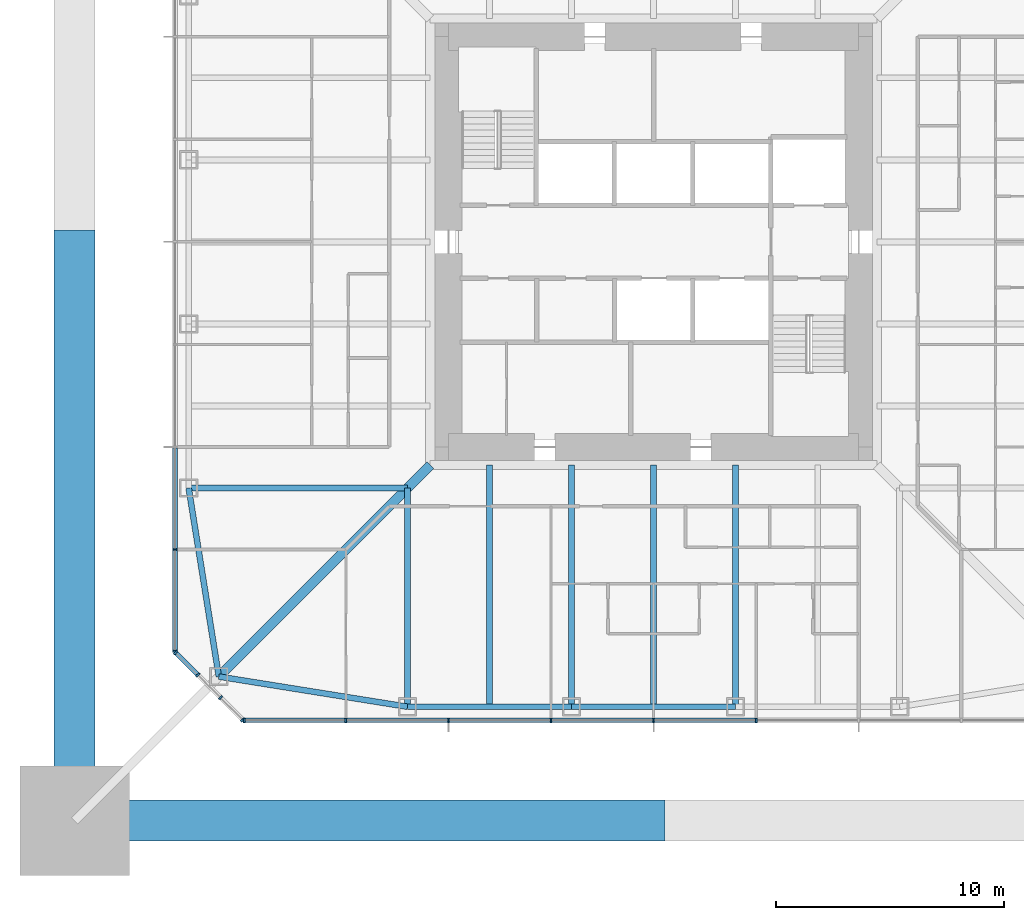
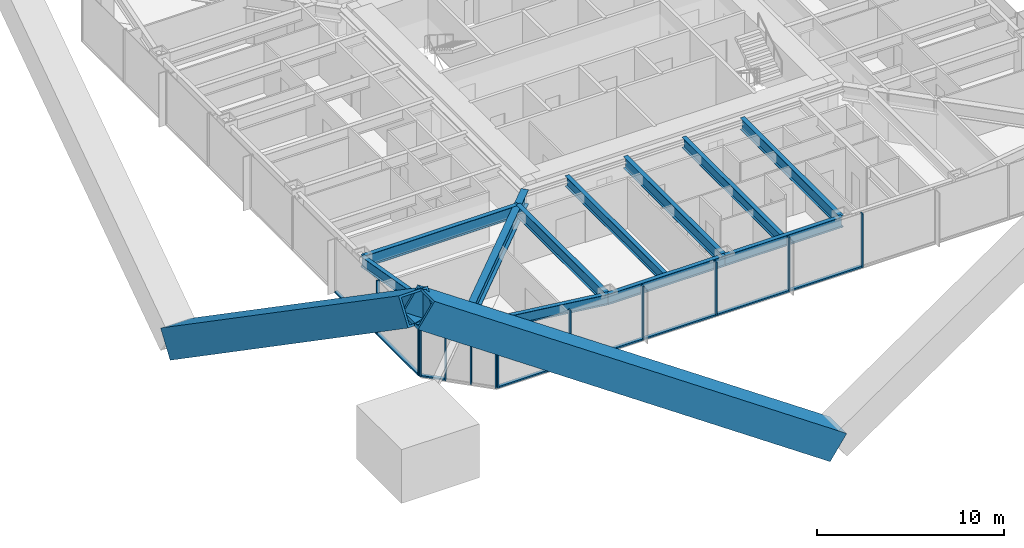
# One storey, part 2 of 17: 22 members, 11 beams, 3 elements without a shape of their own.
"""IFC4 building model written with IfcOpenShell, lengths in metres."""

from ifc_helpers import new_model, si_unit, direction, frame, origin, origin_2d, place, context, subcontext, project, spatial, rectangle, hollow_rectangle, i_section, extrude, material, material_profile, profile_set, type_object, element, aggregate, save


model = new_model("IFC4")

# Units and contexts
model_context = context("Model", 3, precision=1e-05, world=origin(), true_north=direction((0.0, 1.0)))
body_context = subcontext(model_context, "Body", "Model", "MODEL_VIEW")
ifc_project = project(units=[si_unit("LENGTHUNIT", "METRE"), si_unit("AREAUNIT", "SQUARE_METRE"), si_unit("VOLUMEUNIT", "CUBIC_METRE"), si_unit("PLANEANGLEUNIT", "RADIAN"), si_unit("MASSUNIT", "GRAM", prefix="KILO")], contexts=[model_context])

# Site, building, storey
site_placement = place(None, origin())
site = spatial("IfcSite", under=ifc_project, at=site_placement, CompositionType="ELEMENT")
building_placement = place(site_placement, origin())
building = spatial("IfcBuilding", under=site, at=building_placement, Name="Iwan Alto Co-Living Towers", CompositionType="ELEMENT")
storey_placement = place(building_placement, frame((0.0, 0.0, 133.0)))
storey = spatial("IfcBuildingStorey", under=building, at=storey_placement, Name="L36", CompositionType="ELEMENT", Elevation=133.0)

# Curtain wall, members
ifc_material_1 = material(Name="Bronze aluminium unitised frame", Category="aluminium")
curtain_wall_type_1 = type_object("IfcCurtainWallType", Name="CURTAIN WALL CW-A", PredefinedType="NOTDEFINED", material=ifc_material_1)
curtain_wall_1_placement = place(storey_placement, origin())
curtain_wall_1 = element("IfcCurtainWall", 1, at=curtain_wall_1_placement, inside=storey, type_object=curtain_wall_type_1, Name="T1 curtain wall S L36", PredefinedType="NOTDEFINED")
ifc_material_2 = material(Name="Aluminium 6063-T6 bronze anodised", Category="aluminium")
ifc_material_profile_1 = material_profile(ifc_material_2, rectangle(XDim=0.199951171875, YDim=0.080078125, at=origin_2d()), Name="AL 80X200")
ifc_profile_set_1 = profile_set([ifc_material_profile_1], Name="Aluminium 6063-T6 bronze anodised")
member_type_1 = type_object("IfcMemberType", Name="CW-A MULLION 80X200", PredefinedType="MULLION", material=ifc_profile_set_1)
member_1_placement = place(storey_placement, frame((-17.9599609375, -21.0, 0.0), z_axis=(0.0, 0.0, 1.0), x_axis=(0.0, 1.0, 0.0)))
member_1 = element("IfcMember", 2, at=member_1_placement, type_object=member_type_1, Name="CW-A mullion 1", PredefinedType="MULLION", context=body_context, shape_type="SweptSolid", body=[
    extrude(rectangle(XDim=0.199951171875, YDim=0.080078125, at=origin_2d()), origin(), (0.0, 0.0, 1.0), 3.5),
])
member_2_placement = place(storey_placement, frame((-13.5, -21.0, 0.0), z_axis=(0.0, 0.0, 1.0), x_axis=(0.0, 1.0, 0.0)))
member_2 = element("IfcMember", 3, at=member_2_placement, type_object=member_type_1, Name="CW-A mullion 2", PredefinedType="MULLION", context=body_context, shape_type="SweptSolid", body=[
    extrude(rectangle(XDim=0.199951171875, YDim=0.080078125, at=origin_2d()), origin(), (0.0, 0.0, 1.0), 3.5),
])
member_3_placement = place(storey_placement, frame((-9.0, -21.0, 0.0), z_axis=(0.0, 0.0, 1.0), x_axis=(0.0, 1.0, 0.0)))
member_3 = element("IfcMember", 4, at=member_3_placement, type_object=member_type_1, Name="CW-A mullion 3", PredefinedType="MULLION", context=body_context, shape_type="SweptSolid", body=[
    extrude(rectangle(XDim=0.199951171875, YDim=0.080078125, at=origin_2d()), origin(), (0.0, 0.0, 1.0), 3.5),
])
member_4_placement = place(storey_placement, frame((-4.5, -21.0, 0.0), z_axis=(0.0, 0.0, 1.0), x_axis=(0.0, 1.0, 0.0)))
member_4 = element("IfcMember", 5, at=member_4_placement, type_object=member_type_1, Name="CW-A mullion 4", PredefinedType="MULLION", context=body_context, shape_type="SweptSolid", body=[
    extrude(rectangle(XDim=0.199951171875, YDim=0.080078125, at=origin_2d()), origin(), (0.0, 0.0, 1.0), 3.5),
])
member_5_placement = place(storey_placement, frame((0.0, -21.0, 0.0), z_axis=(0.0, 0.0, 1.0), x_axis=(0.0, 1.0, 0.0)))
member_5 = element("IfcMember", 6, at=member_5_placement, type_object=member_type_1, Name="CW-A mullion 5", PredefinedType="MULLION", context=body_context, shape_type="SweptSolid", body=[
    extrude(rectangle(XDim=0.199951171875, YDim=0.080078125, at=origin_2d()), origin(), (0.0, 0.0, 1.0), 3.5),
])
member_6_placement = place(storey_placement, frame((4.5, -21.0, 0.0), z_axis=(0.0, 0.0, 1.0), x_axis=(0.0, 1.0, 0.0)))
member_6 = element("IfcMember", 7, at=member_6_placement, type_object=member_type_1, Name="CW-A mullion 6", PredefinedType="MULLION", context=body_context, shape_type="SweptSolid", body=[
    extrude(rectangle(XDim=0.199951171875, YDim=0.080078125, at=origin_2d()), origin(), (0.0, 0.0, 1.0), 3.5),
])

curtain_wall_2_placement = place(storey_placement, origin())
curtain_wall_2 = element("IfcCurtainWall", 8, at=curtain_wall_2_placement, inside=storey, type_object=curtain_wall_type_1, Name="T1 curtain wall W L36", PredefinedType="NOTDEFINED")
member_7_placement = place(storey_placement, frame((-21.0, -13.5, 0.0), z_axis=(0.0, 0.0, 1.0), x_axis=(1.0, 0.0, 0.0)))
member_7 = element("IfcMember", 9, at=member_7_placement, type_object=member_type_1, Name="CW-A mullion 8", PredefinedType="MULLION", context=body_context, shape_type="SweptSolid", body=[
    extrude(rectangle(XDim=0.199951171875, YDim=0.080078125, at=origin_2d()), origin(), (0.0, 0.0, 1.0), 3.5),
])
member_8_placement = place(storey_placement, frame((-21.0, -17.9599609375, 0.0), z_axis=(0.0, 0.0, 1.0), x_axis=(1.0, 0.0, 0.0)))
member_8 = element("IfcMember", 10, at=member_8_placement, type_object=member_type_1, Name="CW-A mullion 9", PredefinedType="MULLION", context=body_context, shape_type="SweptSolid", body=[
    extrude(rectangle(XDim=0.199951171875, YDim=0.080078125, at=origin_2d()), origin(), (0.0, 0.0, 1.0), 3.5),
])

# Member
ifc_material_3 = material(Name="Aluminium 6063-T6 bronze anodised", Category="aluminium")
ifc_material_profile_2 = material_profile(ifc_material_3, rectangle(XDim=0.199951171875, YDim=0.10009765625, at=origin_2d()), Name="AL 200X100")
ifc_profile_set_2 = profile_set([ifc_material_profile_2], Name="Aluminium 6063-T6 bronze anodised")
member_type_2 = type_object("IfcMemberType", Name="CW-A TRANSOM 200X100", PredefinedType="USERDEFINED", material=ifc_profile_set_2)
member_9_placement = place(storey_placement, frame((-17.919921875, -21.0, 0.050048828125), z_axis=(1.0, 0.0, 0.0), x_axis=(0.0, 1.0, 0.0)))
member_9 = element("IfcMember", 11, at=member_9_placement, type_object=member_type_2, Name="CW-A transom 1.1", ObjectType="TRANSOM", PredefinedType="USERDEFINED", context=body_context, shape_type="SweptSolid", body=[
    extrude(rectangle(XDim=0.199951171875, YDim=0.10009765625, at=origin_2d()), origin(), (0.0, 0.0, 1.0), 4.3798828125),
])

member_10_placement = place(storey_placement, frame((-13.4599609375, -21.0, 0.050048828125), z_axis=(1.0, 0.0, 0.0), x_axis=(0.0, 1.0, 0.0)))
member_10 = element("IfcMember", 12, at=member_10_placement, type_object=member_type_2, Name="CW-A transom 2.1", ObjectType="TRANSOM", PredefinedType="USERDEFINED", context=body_context, shape_type="SweptSolid", body=[
    extrude(rectangle(XDim=0.199951171875, YDim=0.10009765625, at=origin_2d()), origin(), (0.0, 0.0, 1.0), 4.419921875),
])

member_11_placement = place(storey_placement, frame((-8.9599609375, -21.0, 0.050048828125), z_axis=(1.0, 0.0, 0.0), x_axis=(0.0, 1.0, 0.0)))
member_11 = element("IfcMember", 13, at=member_11_placement, type_object=member_type_2, Name="CW-A transom 3.1", ObjectType="TRANSOM", PredefinedType="USERDEFINED", context=body_context, shape_type="SweptSolid", body=[
    extrude(rectangle(XDim=0.199951171875, YDim=0.10009765625, at=origin_2d()), origin(), (0.0, 0.0, 1.0), 4.419921875),
])

member_12_placement = place(storey_placement, frame((-4.4599609375, -21.0, 0.050048828125), z_axis=(1.0, 0.0, 0.0), x_axis=(0.0, 1.0, 0.0)))
member_12 = element("IfcMember", 14, at=member_12_placement, type_object=member_type_2, Name="CW-A transom 4.1", ObjectType="TRANSOM", PredefinedType="USERDEFINED", context=body_context, shape_type="SweptSolid", body=[
    extrude(rectangle(XDim=0.199951171875, YDim=0.10009765625, at=origin_2d()), origin(), (0.0, 0.0, 1.0), 4.419921875),
])

member_13_placement = place(storey_placement, frame((0.0400390625, -21.0, 0.050048828125), z_axis=(1.0, 0.0, 0.0), x_axis=(0.0, 1.0, 0.0)))
member_13 = element("IfcMember", 15, at=member_13_placement, type_object=member_type_2, Name="CW-A transom 5.1", ObjectType="TRANSOM", PredefinedType="USERDEFINED", context=body_context, shape_type="SweptSolid", body=[
    extrude(rectangle(XDim=0.199951171875, YDim=0.10009765625, at=origin_2d()), origin(), (0.0, 0.0, 1.0), 4.419921875),
])

aggregate(curtain_wall_1, [member_1, member_2, member_3, member_4, member_5, member_6, member_9, member_10, member_11, member_12, member_13])

member_14_placement = place(storey_placement, frame((-21.0, -9.0400390625, 0.050048828125), z_axis=(0.0, -1.0, 0.0), x_axis=(1.0, 0.0, 0.0)))
member_14 = element("IfcMember", 16, at=member_14_placement, type_object=member_type_2, Name="CW-A transom 7.1", ObjectType="TRANSOM", PredefinedType="USERDEFINED", context=body_context, shape_type="SweptSolid", body=[
    extrude(rectangle(XDim=0.199951171875, YDim=0.10009765625, at=origin_2d()), origin(), (0.0, 0.0, 1.0), 4.419921875),
])

member_15_placement = place(storey_placement, frame((-21.0, -13.5400390625, 0.050048828125), z_axis=(0.0, -1.0, 0.0), x_axis=(1.0, 0.0, 0.0)))
member_15 = element("IfcMember", 17, at=member_15_placement, type_object=member_type_2, Name="CW-A transom 8.1", ObjectType="TRANSOM", PredefinedType="USERDEFINED", context=body_context, shape_type="SweptSolid", body=[
    extrude(rectangle(XDim=0.199951171875, YDim=0.10009765625, at=origin_2d()), origin(), (0.0, 0.0, 1.0), 4.3798828125),
])

aggregate(curtain_wall_2, [member_7, member_8, member_14, member_15])

# Curtain wall, members
ifc_material_4 = material(Name="Bronze aluminium unitised frame", Category="aluminium")
curtain_wall_type_2 = type_object("IfcCurtainWallType", Name="CURTAIN WALL CW-B", PredefinedType="NOTDEFINED", material=ifc_material_4)
curtain_wall_3_placement = place(storey_placement, origin())
curtain_wall_3 = element("IfcCurtainWall", 18, at=curtain_wall_3_placement, inside=storey, type_object=curtain_wall_type_2, Name="T1 chamfer curtain wall SW L36", PredefinedType="NOTDEFINED")
ifc_material_5 = material(Name="Aluminium 6063-T6 bronze anodised", Category="aluminium")
ifc_material_profile_3 = material_profile(ifc_material_5, rectangle(XDim=0.199951171875, YDim=0.080078125, at=origin_2d()), Name="AL 80X200")
ifc_profile_set_3 = profile_set([ifc_material_profile_3], Name="Aluminium 6063-T6 bronze anodised")
member_type_3 = type_object("IfcMemberType", Name="CW-B MULLION 80X200", PredefinedType="MULLION", material=ifc_profile_set_3)
member_16_placement = place(storey_placement, frame((-20.9716796875, -18.0283203125, 0.0), z_axis=(0.0, 0.0, 1.0), x_axis=(0.707106781187, 0.707106781187, 0.0)))
member_16 = element("IfcMember", 19, at=member_16_placement, type_object=member_type_3, Name="CW-B mullion 1", PredefinedType="MULLION", context=body_context, shape_type="SweptSolid", body=[
    extrude(rectangle(XDim=0.199951171875, YDim=0.080078125, at=origin_2d()), origin(), (0.0, 0.0, 1.0), 3.5),
])
member_17_placement = place(storey_placement, frame((-20.0, -19.0, 0.0), z_axis=(0.0, 0.0, 1.0), x_axis=(0.707106781187, 0.707106781187, 0.0)))
member_17 = element("IfcMember", 20, at=member_17_placement, type_object=member_type_3, Name="CW-B mullion 2", PredefinedType="MULLION", context=body_context, shape_type="SweptSolid", body=[
    extrude(rectangle(XDim=0.199951171875, YDim=0.080078125, at=origin_2d()), origin(), (0.0, 0.0, 1.0), 3.5),
])
member_18_placement = place(storey_placement, frame((-19.0, -20.0, 0.0), z_axis=(0.0, 0.0, 1.0), x_axis=(0.707106781187, 0.707106781187, 0.0)))
member_18 = element("IfcMember", 21, at=member_18_placement, type_object=member_type_3, Name="CW-B mullion 3", PredefinedType="MULLION", context=body_context, shape_type="SweptSolid", body=[
    extrude(rectangle(XDim=0.199951171875, YDim=0.080078125, at=origin_2d()), origin(), (0.0, 0.0, 1.0), 3.5),
])
member_19_placement = place(storey_placement, frame((-18.0283203125, -20.9716796875, 0.0), z_axis=(0.0, 0.0, 1.0), x_axis=(0.707106781187, 0.707106781187, 0.0)))
member_19 = element("IfcMember", 22, at=member_19_placement, type_object=member_type_3, Name="CW-B mullion 4", PredefinedType="MULLION", context=body_context, shape_type="SweptSolid", body=[
    extrude(rectangle(XDim=0.199951171875, YDim=0.080078125, at=origin_2d()), origin(), (0.0, 0.0, 1.0), 3.5),
])
ifc_material_6 = material(Name="Aluminium 6063-T6 bronze anodised", Category="aluminium")
ifc_material_profile_4 = material_profile(ifc_material_6, rectangle(XDim=0.199951171875, YDim=0.10009765625, at=origin_2d()), Name="AL 200X100")
ifc_profile_set_4 = profile_set([ifc_material_profile_4], Name="Aluminium 6063-T6 bronze anodised")
member_type_4 = type_object("IfcMemberType", Name="CW-B TRANSOM 200X100", PredefinedType="USERDEFINED", material=ifc_profile_set_4)
member_20_placement = place(storey_placement, frame((-20.943359375, -18.056640625, 0.050048828125), z_axis=(0.707106781187, -0.707106781187, 0.0), x_axis=(0.707106781187, 0.707106781187, 0.0)))
member_20 = element("IfcMember", 23, at=member_20_placement, type_object=member_type_4, Name="CW-B transom 1.1", ObjectType="TRANSOM", PredefinedType="USERDEFINED", context=body_context, shape_type="SweptSolid", body=[
    extrude(rectangle(XDim=0.199951171875, YDim=0.10009765625, at=origin_2d()), origin(), (0.0, 0.0, 1.0), 1.2939453125),
])
aggregate(curtain_wall_3, [member_16, member_17, member_18, member_19, member_20])

# Beams
ifc_material_7 = material(Name="Steel ASTM A992 Gr 50", Category="steel")
ifc_material_profile_5 = material_profile(ifc_material_7, i_section(OverallWidth=0.419189453125, OverallDepth=0.927001953125, WebThickness=0.019287109375, FlangeThickness=0.031982421875, at=origin_2d()), Name="W36X231")
ifc_profile_set_5 = profile_set([ifc_material_profile_5], Name="Steel ASTM A992 Gr 50")
beam_type_1 = type_object("IfcBeamType", Name="T1 CORNER GIRDER W36X231", PredefinedType="BEAM", material=ifc_profile_set_5)
beam_1_placement = place(storey_placement, frame((-19.07568359375, -19.07568359375, 2.806396484375), z_axis=(0.707106781187, 0.707106781187, 0.0), x_axis=(-0.707106781187, 0.707106781187, 0.0)))
element("IfcBeam", 24, at=beam_1_placement, inside=storey, type_object=beam_type_1, Name="T1 corner girder CSW L37", PredefinedType="BEAM", context=body_context, shape_type="SweptSolid", body=[
    extrude(i_section(OverallWidth=0.419189453125, OverallDepth=0.927001953125, WebThickness=0.019287109375, FlangeThickness=0.031982421875, at=origin_2d()), origin(), (0.0, 0.0, 1.0), 13.11865234375),
])
ifc_material_8 = material(Name="Steel ASTM A992 Gr 50", Category="steel")
ifc_material_profile_6 = material_profile(ifc_material_8, i_section(OverallWidth=0.25390625, OverallDepth=0.683349609375, WebThickness=0.012451171875, FlangeThickness=0.018798828125, at=origin_2d()), Name="W27X94")
ifc_profile_set_6 = profile_set([ifc_material_profile_6], Name="Steel ASTM A992 Gr 50")
beam_type_2 = type_object("IfcBeamType", Name="T1 EDGE BEAM W27X94", PredefinedType="BEAM", material=ifc_profile_set_6)
beam_2_placement = place(storey_placement, frame((-19.07568359375, -19.07568359375, 2.928466796875), z_axis=(0.987438450439, -0.158004134737, 0.0), x_axis=(0.158004134737, 0.987438450439, 0.0)))
element("IfcBeam", 25, at=beam_2_placement, inside=storey, type_object=beam_type_2, Name="T1 edge beam CSW L37", PredefinedType="BEAM", context=body_context, shape_type="SweptSolid", body=[
    extrude(i_section(OverallWidth=0.25390625, OverallDepth=0.683349609375, WebThickness=0.012451171875, FlangeThickness=0.018798828125, at=origin_2d()), origin(), (0.0, 0.0, 1.0), 8.380859375),
])
beam_3_placement = place(storey_placement, frame((-10.800048828125, -20.39990234375, 2.928466796875), z_axis=(1.0, 0.0, 0.0), x_axis=(0.0, 1.0, 0.0)))
element("IfcBeam", 26, at=beam_3_placement, inside=storey, type_object=beam_type_2, Name="T1 edge beam S1 L37", PredefinedType="BEAM", context=body_context, shape_type="SweptSolid", body=[
    extrude(i_section(OverallWidth=0.25390625, OverallDepth=0.683349609375, WebThickness=0.012451171875, FlangeThickness=0.018798828125, at=origin_2d()), origin(), (0.0, 0.0, 1.0), 7.199951171875),
])
beam_4_placement = place(storey_placement, frame((-3.60009765625, -20.39990234375, 2.928466796875), z_axis=(1.0, 0.0, 0.0), x_axis=(0.0, 1.0, 0.0)))
element("IfcBeam", 27, at=beam_4_placement, inside=storey, type_object=beam_type_2, Name="T1 edge beam S2 L37", PredefinedType="BEAM", context=body_context, shape_type="SweptSolid", body=[
    extrude(i_section(OverallWidth=0.25390625, OverallDepth=0.683349609375, WebThickness=0.012451171875, FlangeThickness=0.018798828125, at=origin_2d()), origin(), (0.0, 0.0, 1.0), 7.2001953125),
])
beam_5_placement = place(storey_placement, frame((-20.39990234375, -10.800048828125, 2.928466796875), z_axis=(0.158004134737, -0.987438450439, 0.0), x_axis=(0.987438450439, 0.158004134737, 0.0)))
element("IfcBeam", 28, at=beam_5_placement, inside=storey, type_object=beam_type_2, Name="T1 edge beam W4 L37", PredefinedType="BEAM", context=body_context, shape_type="SweptSolid", body=[
    extrude(i_section(OverallWidth=0.25390625, OverallDepth=0.683349609375, WebThickness=0.012451171875, FlangeThickness=0.018798828125, at=origin_2d()), origin(), (0.0, 0.0, 1.0), 8.380859375),
])

# Members
ifc_material_9 = material(Name="Steel ASTM A572 Gr 42", Category="steel")
ifc_material_profile_7 = material_profile(ifc_material_9, hollow_rectangle(XDim=1.800048828125, YDim=1.800048828125, WallThickness=0.1298828125, at=origin_2d()), Name="BOX 1800X1800X130")
ifc_profile_set_7 = profile_set([ifc_material_profile_7], Name="Steel ASTM A572 Gr 42")
member_type_5 = type_object("IfcMemberType", Name="T1 MEGA BRACE BOX 1800X1800X130", PredefinedType="BRACE", material=ifc_profile_set_7)
for number, where, z_axis, x_axis, name in (
    (29, (0.0, -25.39990234375, -7.0), (-0.82347292246, 0.0, 0.56735557279), (0.0, -1.0, 0.0), "T1 mega brace Z2B S 2 upper"),
    (30, (-25.39990234375, 0.0, -7.0), (0.0, -0.82347292246, 0.56735557279), (1.0, 0.0, 0.0), "T1 mega brace Z2B W 1 upper"),
):
    element("IfcMember", number, at=place(storey_placement, frame(where, z_axis=z_axis, x_axis=x_axis)), inside=storey, type_object=member_type_5, Name=name, PredefinedType="BRACE", context=body_context, shape_type="SweptSolid", body=[
        extrude(hollow_rectangle(XDim=1.800048828125, YDim=1.800048828125, WallThickness=0.1298828125, at=origin_2d()), origin(), (0.0, 0.0, 1.0), 30.844970703125),
    ])

# Beams
ifc_material_10 = material(Name="Steel ASTM A992 Gr 50", Category="steel")
ifc_material_profile_8 = material_profile(ifc_material_10, i_section(OverallWidth=0.2666015625, OverallDepth=0.761962890625, WebThickness=0.014404296875, FlangeThickness=0.021484375, at=origin_2d()), Name="W30X116")
ifc_profile_set_8 = profile_set([ifc_material_profile_8], Name="Steel ASTM A992 Gr 50")
beam_type_3 = type_object("IfcBeamType", Name="T1 RADIAL BEAM W30X116", PredefinedType="BEAM", material=ifc_profile_set_8)
beam_6_placement = place(storey_placement, frame((-10.800048828125, -20.39990234375, 2.888916015625), z_axis=(0.0, 1.0, 0.0), x_axis=(-1.0, 0.0, 0.0)))
element("IfcBeam", 31, at=beam_6_placement, inside=storey, type_object=beam_type_3, Name="T1 radial beam S1 L37", PredefinedType="BEAM", context=body_context, shape_type="SweptSolid", body=[
    extrude(i_section(OverallWidth=0.2666015625, OverallDepth=0.761962890625, WebThickness=0.014404296875, FlangeThickness=0.021484375, at=origin_2d()), origin(), (0.0, 0.0, 1.0), 9.599853515625),
])
for number, where, z_axis, x_axis, name in (
    (32, (-3.60009765625, -20.39990234375, 2.888916015625), (0.0, 1.0, 0.0), (-1.0, 0.0, 0.0), "T1 radial beam S2 L37"),
    (33, (3.60009765625, -20.39990234375, 2.888916015625), (0.0, 1.0, 0.0), (-1.0, 0.0, 0.0), "T1 radial beam S3 L37"),
):
    element("IfcBeam", number, at=place(storey_placement, frame(where, z_axis=z_axis, x_axis=x_axis)), inside=storey, type_object=beam_type_3, Name=name, PredefinedType="BEAM", context=body_context, shape_type="SweptSolid", body=[
        extrude(i_section(OverallWidth=0.2666015625, OverallDepth=0.761962890625, WebThickness=0.014404296875, FlangeThickness=0.021484375, at=origin_2d()), origin(), (0.0, 0.0, 1.0), 10.6005859375),
    ])
beam_7_placement = place(storey_placement, frame((-20.39990234375, -10.800048828125, 2.888916015625), z_axis=(1.0, 0.0, 0.0), x_axis=(0.0, 1.0, 0.0)))
element("IfcBeam", 34, at=beam_7_placement, inside=storey, type_object=beam_type_3, Name="T1 radial beam W4 L37", PredefinedType="BEAM", context=body_context, shape_type="SweptSolid", body=[
    extrude(i_section(OverallWidth=0.2666015625, OverallDepth=0.761962890625, WebThickness=0.014404296875, FlangeThickness=0.021484375, at=origin_2d()), origin(), (0.0, 0.0, 1.0), 9.599853515625),
])
ifc_material_11 = material(Name="Steel ASTM A992 Gr 50", Category="steel")
ifc_material_profile_9 = material_profile(ifc_material_11, i_section(OverallWidth=0.25390625, OverallDepth=0.683349609375, WebThickness=0.012451171875, FlangeThickness=0.018798828125, at=origin_2d()), Name="W27X94")
ifc_profile_set_9 = profile_set([ifc_material_profile_9], Name="Steel ASTM A992 Gr 50")
beam_type_4 = type_object("IfcBeamType", Name="T1 SECONDARY BEAM W27X94", PredefinedType="JOIST", material=ifc_profile_set_9)
for number, where, z_axis, x_axis, name in (
    (35, (-7.199951171875, -20.39990234375, 2.928466796875), (0.0, 1.0, 0.0), (-1.0, 0.0, 0.0), "T1 secondary beam S1 L37"),
    (36, (0.0, -20.39990234375, 2.928466796875), (0.0, 1.0, 0.0), (-1.0, 0.0, 0.0), "T1 secondary beam S2 L37"),
):
    element("IfcBeam", number, at=place(storey_placement, frame(where, z_axis=z_axis, x_axis=x_axis)), inside=storey, type_object=beam_type_4, Name=name, PredefinedType="JOIST", context=body_context, shape_type="SweptSolid", body=[
        extrude(i_section(OverallWidth=0.25390625, OverallDepth=0.683349609375, WebThickness=0.012451171875, FlangeThickness=0.018798828125, at=origin_2d()), origin(), (0.0, 0.0, 1.0), 10.6005859375),
    ])

save(model, "model.ifc")
